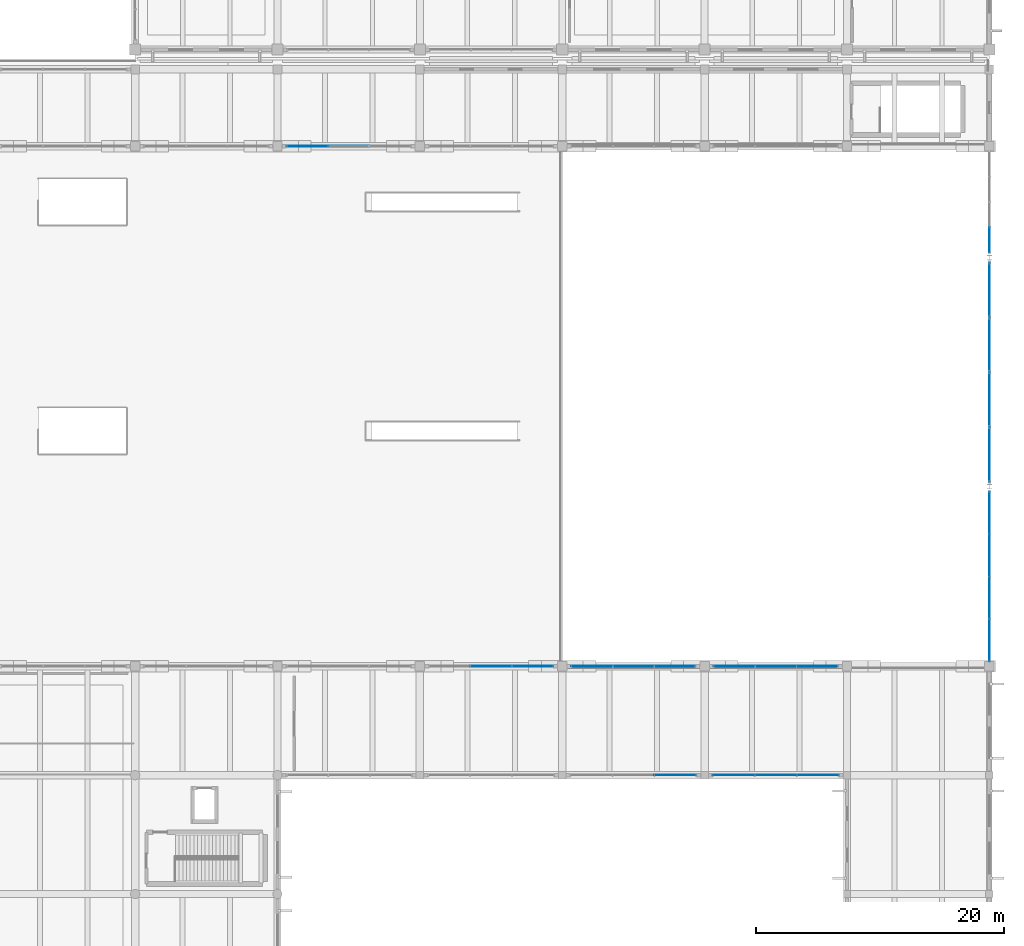
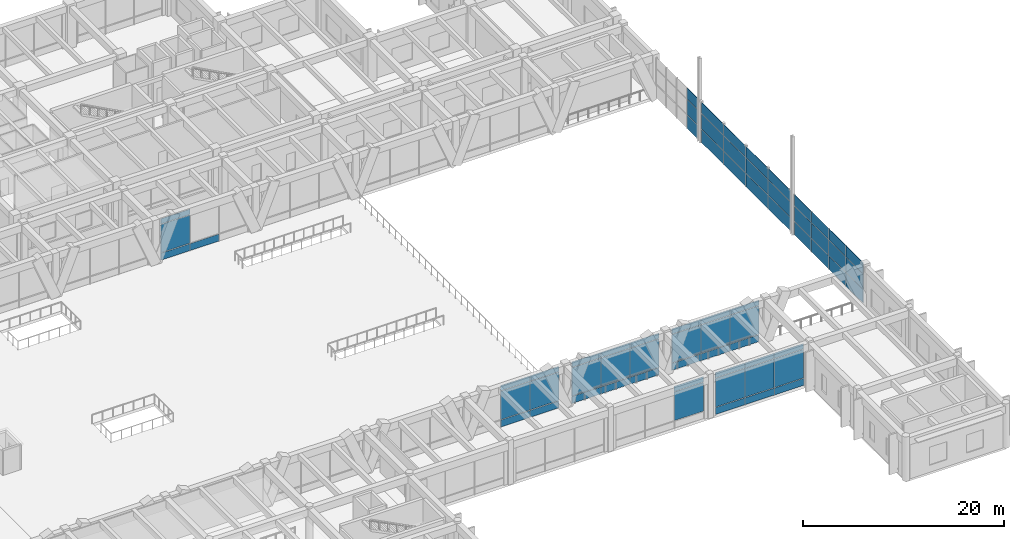
# One storey, part 121 of 148: 66 plates, 9 elements without a shape of their own.
"""IFC4 building model written with IfcOpenShell, lengths in metres."""

from ifc_helpers import new_model, si_unit, direction, frame, origin, origin_2d, place, context, subcontext, project, spatial, rectangle, extrude, material, layer, layer_set, type_object, element, aggregate, save


model = new_model("IFC4")

# Units and contexts
model_context = context("Model", 3, precision=1e-05, world=origin(), true_north=direction((0.0, 1.0)))
body_context = subcontext(model_context, "Body", "Model", "MODEL_VIEW")
ifc_project = project(units=[si_unit("LENGTHUNIT", "METRE"), si_unit("AREAUNIT", "SQUARE_METRE"), si_unit("VOLUMEUNIT", "CUBIC_METRE"), si_unit("PLANEANGLEUNIT", "RADIAN"), si_unit("MASSUNIT", "GRAM", prefix="KILO")], contexts=[model_context])

# Site, building, storey
site_placement = place(None, origin())
site = spatial("IfcSite", under=ifc_project, at=site_placement, CompositionType="ELEMENT")
building_placement = place(site_placement, origin())
building = spatial("IfcBuilding", under=site, at=building_placement, Name="Ologun Quay Terminus", CompositionType="ELEMENT")
storey_placement = place(building_placement, frame((0.0, 0.0, 8.39990234375)))
storey = spatial("IfcBuildingStorey", under=building, at=storey_placement, Name="L02", CompositionType="ELEMENT", Elevation=8.39990234375)

# Curtain wall, plates
ifc_material_1 = material(Name="Aluminium 6063-T6", Category="aluminium")
curtain_wall_type_1 = type_object("IfcCurtainWallType", Name="Train Shed Gable Arch Screen 13500x4900", PredefinedType="USERDEFINED", material=ifc_material_1)
curtain_wall_1_placement = place(storey_placement, origin())
curtain_wall_1 = element("IfcCurtainWall", 1, at=curtain_wall_1_placement, inside=storey, type_object=curtain_wall_type_1, Name="CW-10 Curtain Wall CW-GBL-E1", ObjectType="UNITISED CURTAIN WALL", PredefinedType="USERDEFINED")
ifc_material_2 = material(Name="Glass", Category="glass")
ifc_layer_1 = layer(ifc_material_2, 0.031982421875)
ifc_layer_set_1 = layer_set([ifc_layer_1], Name="Glass")
plate_type_1 = type_object("IfcPlateType", Name="Acoustic Low-E Laminated Glazed Panel 32", PredefinedType="CURTAIN_PANEL", material=ifc_layer_set_1)
plate_1_placement = place(storey_placement, frame((184.0, 38.112548828125, 0.170166015625), z_axis=(0.0, 0.0, 1.0), x_axis=(0.0, 1.0, 0.0)))
plate_1 = element("IfcPlate", 2, at=plate_1_placement, type_object=plate_type_1, Name="CW-GBL-E1 Panel B1-1", PredefinedType="CURTAIN_PANEL", context=body_context, shape_type="SweptSolid", body=[
    extrude(rectangle(XDim=3.425048828125, YDim=0.031982421875, at=origin_2d()), origin(), (0.0, 0.0, 1.0), 1.60009765625),
])
plate_2_placement = place(storey_placement, frame((184.0, 38.112548828125, 1.830078125), z_axis=(0.0, 0.0, 1.0), x_axis=(0.0, 1.0, 0.0)))
plate_2 = element("IfcPlate", 3, at=plate_2_placement, type_object=plate_type_1, Name="CW-GBL-E1 Panel B1-2", PredefinedType="CURTAIN_PANEL", context=body_context, shape_type="SweptSolid", body=[
    extrude(rectangle(XDim=3.425048828125, YDim=0.031982421875, at=origin_2d()), origin(), (0.0, 0.0, 1.0), 1.840087890625),
])
plate_3_placement = place(storey_placement, frame((184.0, 38.112548828125, 3.72998046875), z_axis=(0.0, 0.0, 1.0), x_axis=(0.0, 1.0, 0.0)))
plate_3 = element("IfcPlate", 4, at=plate_3_placement, type_object=plate_type_1, Name="CW-GBL-E1 Panel B1-3", PredefinedType="CURTAIN_PANEL", context=body_context, shape_type="SweptSolid", body=[
    extrude(rectangle(XDim=3.425048828125, YDim=0.031982421875, at=origin_2d()), origin(), (0.0, 0.0, 1.0), 1.340087890625),
])
plate_4_placement = place(storey_placement, frame((184.0, 41.53759765625, 0.170166015625), z_axis=(0.0, 0.0, 1.0), x_axis=(0.0, 1.0, 0.0)))
plate_4 = element("IfcPlate", 5, at=plate_4_placement, type_object=plate_type_1, Name="CW-GBL-E1 Panel B2-1", PredefinedType="CURTAIN_PANEL", context=body_context, shape_type="SweptSolid", body=[
    extrude(rectangle(XDim=3.425048828125, YDim=0.031982421875, at=origin_2d()), origin(), (0.0, 0.0, 1.0), 1.60009765625),
])
plate_5_placement = place(storey_placement, frame((184.0, 41.53759765625, 1.830078125), z_axis=(0.0, 0.0, 1.0), x_axis=(0.0, 1.0, 0.0)))
plate_5 = element("IfcPlate", 6, at=plate_5_placement, type_object=plate_type_1, Name="CW-GBL-E1 Panel B2-2", PredefinedType="CURTAIN_PANEL", context=body_context, shape_type="SweptSolid", body=[
    extrude(rectangle(XDim=3.425048828125, YDim=0.031982421875, at=origin_2d()), origin(), (0.0, 0.0, 1.0), 1.840087890625),
])
plate_6_placement = place(storey_placement, frame((184.0, 41.53759765625, 3.72998046875), z_axis=(0.0, 0.0, 1.0), x_axis=(0.0, 1.0, 0.0)))
plate_6 = element("IfcPlate", 7, at=plate_6_placement, type_object=plate_type_1, Name="CW-GBL-E1 Panel B2-3", PredefinedType="CURTAIN_PANEL", context=body_context, shape_type="SweptSolid", body=[
    extrude(rectangle(XDim=3.425048828125, YDim=0.031982421875, at=origin_2d()), origin(), (0.0, 0.0, 1.0), 1.340087890625),
])
plate_7_placement = place(storey_placement, frame((184.0, 44.96240234375, 0.170166015625), z_axis=(0.0, 0.0, 1.0), x_axis=(0.0, 1.0, 0.0)))
plate_7 = element("IfcPlate", 8, at=plate_7_placement, type_object=plate_type_1, Name="CW-GBL-E1 Panel B3-1", PredefinedType="CURTAIN_PANEL", context=body_context, shape_type="SweptSolid", body=[
    extrude(rectangle(XDim=3.425048828125, YDim=0.031982421875, at=origin_2d()), origin(), (0.0, 0.0, 1.0), 1.60009765625),
])
plate_8_placement = place(storey_placement, frame((184.0, 44.96240234375, 1.830078125), z_axis=(0.0, 0.0, 1.0), x_axis=(0.0, 1.0, 0.0)))
plate_8 = element("IfcPlate", 9, at=plate_8_placement, type_object=plate_type_1, Name="CW-GBL-E1 Panel B3-2", PredefinedType="CURTAIN_PANEL", context=body_context, shape_type="SweptSolid", body=[
    extrude(rectangle(XDim=3.425048828125, YDim=0.031982421875, at=origin_2d()), origin(), (0.0, 0.0, 1.0), 1.840087890625),
])
plate_9_placement = place(storey_placement, frame((184.0, 44.96240234375, 3.72998046875), z_axis=(0.0, 0.0, 1.0), x_axis=(0.0, 1.0, 0.0)))
plate_9 = element("IfcPlate", 10, at=plate_9_placement, type_object=plate_type_1, Name="CW-GBL-E1 Panel B3-3", PredefinedType="CURTAIN_PANEL", context=body_context, shape_type="SweptSolid", body=[
    extrude(rectangle(XDim=3.425048828125, YDim=0.031982421875, at=origin_2d()), origin(), (0.0, 0.0, 1.0), 1.340087890625),
])
plate_10_placement = place(storey_placement, frame((184.0, 48.387451171875, 0.170166015625), z_axis=(0.0, 0.0, 1.0), x_axis=(0.0, 1.0, 0.0)))
plate_10 = element("IfcPlate", 11, at=plate_10_placement, type_object=plate_type_1, Name="CW-GBL-E1 Panel B4-1", PredefinedType="CURTAIN_PANEL", context=body_context, shape_type="SweptSolid", body=[
    extrude(rectangle(XDim=3.425048828125, YDim=0.031982421875, at=origin_2d()), origin(), (0.0, 0.0, 1.0), 1.60009765625),
])
plate_11_placement = place(storey_placement, frame((184.0, 48.387451171875, 1.830078125), z_axis=(0.0, 0.0, 1.0), x_axis=(0.0, 1.0, 0.0)))
plate_11 = element("IfcPlate", 12, at=plate_11_placement, type_object=plate_type_1, Name="CW-GBL-E1 Panel B4-2", PredefinedType="CURTAIN_PANEL", context=body_context, shape_type="SweptSolid", body=[
    extrude(rectangle(XDim=3.425048828125, YDim=0.031982421875, at=origin_2d()), origin(), (0.0, 0.0, 1.0), 1.840087890625),
])
plate_12_placement = place(storey_placement, frame((184.0, 48.387451171875, 3.72998046875), z_axis=(0.0, 0.0, 1.0), x_axis=(0.0, 1.0, 0.0)))
plate_12 = element("IfcPlate", 13, at=plate_12_placement, type_object=plate_type_1, Name="CW-GBL-E1 Panel B4-3", PredefinedType="CURTAIN_PANEL", context=body_context, shape_type="SweptSolid", body=[
    extrude(rectangle(XDim=3.425048828125, YDim=0.031982421875, at=origin_2d()), origin(), (0.0, 0.0, 1.0), 1.340087890625),
])
aggregate(curtain_wall_1, [plate_1, plate_2, plate_3, plate_4, plate_5, plate_6, plate_7, plate_8, plate_9, plate_10, plate_11, plate_12])

ifc_material_3 = material(Name="Aluminium 6063-T6", Category="aluminium")
curtain_wall_type_2 = type_object("IfcCurtainWallType", Name="Train Shed Gable Center Screen 17500x4900", PredefinedType="USERDEFINED", material=ifc_material_3)
curtain_wall_2_placement = place(storey_placement, origin())
curtain_wall_2 = element("IfcCurtainWall", 14, at=curtain_wall_2_placement, inside=storey, type_object=curtain_wall_type_2, Name="CW-11 Curtain Wall CW-GBL-E2", ObjectType="UNITISED CURTAIN WALL", PredefinedType="USERDEFINED")
plate_13_placement = place(storey_placement, frame((184.0, 53.112548828125, 0.170166015625), z_axis=(0.0, 0.0, 1.0), x_axis=(0.0, 1.0, 0.0)))
plate_13 = element("IfcPlate", 15, at=plate_13_placement, type_object=plate_type_1, Name="CW-GBL-E2 Panel B1-1", PredefinedType="CURTAIN_PANEL", context=body_context, shape_type="SweptSolid", body=[
    extrude(rectangle(XDim=4.425048828125, YDim=0.031982421875, at=origin_2d()), origin(), (0.0, 0.0, 1.0), 1.60009765625),
])
plate_14_placement = place(storey_placement, frame((184.0, 53.112548828125, 1.830078125), z_axis=(0.0, 0.0, 1.0), x_axis=(0.0, 1.0, 0.0)))
plate_14 = element("IfcPlate", 16, at=plate_14_placement, type_object=plate_type_1, Name="CW-GBL-E2 Panel B1-2", PredefinedType="CURTAIN_PANEL", context=body_context, shape_type="SweptSolid", body=[
    extrude(rectangle(XDim=4.425048828125, YDim=0.031982421875, at=origin_2d()), origin(), (0.0, 0.0, 1.0), 1.840087890625),
])
plate_15_placement = place(storey_placement, frame((184.0, 53.112548828125, 3.72998046875), z_axis=(0.0, 0.0, 1.0), x_axis=(0.0, 1.0, 0.0)))
plate_15 = element("IfcPlate", 17, at=plate_15_placement, type_object=plate_type_1, Name="CW-GBL-E2 Panel B1-3", PredefinedType="CURTAIN_PANEL", context=body_context, shape_type="SweptSolid", body=[
    extrude(rectangle(XDim=4.425048828125, YDim=0.031982421875, at=origin_2d()), origin(), (0.0, 0.0, 1.0), 1.340087890625),
])
plate_16_placement = place(storey_placement, frame((184.0, 57.53759765625, 0.170166015625), z_axis=(0.0, 0.0, 1.0), x_axis=(0.0, 1.0, 0.0)))
plate_16 = element("IfcPlate", 18, at=plate_16_placement, type_object=plate_type_1, Name="CW-GBL-E2 Panel B2-1", PredefinedType="CURTAIN_PANEL", context=body_context, shape_type="SweptSolid", body=[
    extrude(rectangle(XDim=4.425048828125, YDim=0.031982421875, at=origin_2d()), origin(), (0.0, 0.0, 1.0), 1.60009765625),
])
plate_17_placement = place(storey_placement, frame((184.0, 57.53759765625, 1.830078125), z_axis=(0.0, 0.0, 1.0), x_axis=(0.0, 1.0, 0.0)))
plate_17 = element("IfcPlate", 19, at=plate_17_placement, type_object=plate_type_1, Name="CW-GBL-E2 Panel B2-2", PredefinedType="CURTAIN_PANEL", context=body_context, shape_type="SweptSolid", body=[
    extrude(rectangle(XDim=4.425048828125, YDim=0.031982421875, at=origin_2d()), origin(), (0.0, 0.0, 1.0), 1.840087890625),
])
plate_18_placement = place(storey_placement, frame((184.0, 57.53759765625, 3.72998046875), z_axis=(0.0, 0.0, 1.0), x_axis=(0.0, 1.0, 0.0)))
plate_18 = element("IfcPlate", 20, at=plate_18_placement, type_object=plate_type_1, Name="CW-GBL-E2 Panel B2-3", PredefinedType="CURTAIN_PANEL", context=body_context, shape_type="SweptSolid", body=[
    extrude(rectangle(XDim=4.425048828125, YDim=0.031982421875, at=origin_2d()), origin(), (0.0, 0.0, 1.0), 1.340087890625),
])
plate_19_placement = place(storey_placement, frame((184.0, 61.96240234375, 0.170166015625), z_axis=(0.0, 0.0, 1.0), x_axis=(0.0, 1.0, 0.0)))
plate_19 = element("IfcPlate", 21, at=plate_19_placement, type_object=plate_type_1, Name="CW-GBL-E2 Panel B3-1", PredefinedType="CURTAIN_PANEL", context=body_context, shape_type="SweptSolid", body=[
    extrude(rectangle(XDim=4.425048828125, YDim=0.031982421875, at=origin_2d()), origin(), (0.0, 0.0, 1.0), 1.60009765625),
])
plate_20_placement = place(storey_placement, frame((184.0, 61.96240234375, 1.830078125), z_axis=(0.0, 0.0, 1.0), x_axis=(0.0, 1.0, 0.0)))
plate_20 = element("IfcPlate", 22, at=plate_20_placement, type_object=plate_type_1, Name="CW-GBL-E2 Panel B3-2", PredefinedType="CURTAIN_PANEL", context=body_context, shape_type="SweptSolid", body=[
    extrude(rectangle(XDim=4.425048828125, YDim=0.031982421875, at=origin_2d()), origin(), (0.0, 0.0, 1.0), 1.840087890625),
])
plate_21_placement = place(storey_placement, frame((184.0, 61.96240234375, 3.72998046875), z_axis=(0.0, 0.0, 1.0), x_axis=(0.0, 1.0, 0.0)))
plate_21 = element("IfcPlate", 23, at=plate_21_placement, type_object=plate_type_1, Name="CW-GBL-E2 Panel B3-3", PredefinedType="CURTAIN_PANEL", context=body_context, shape_type="SweptSolid", body=[
    extrude(rectangle(XDim=4.425048828125, YDim=0.031982421875, at=origin_2d()), origin(), (0.0, 0.0, 1.0), 1.340087890625),
])
plate_22_placement = place(storey_placement, frame((184.0, 66.387451171875, 0.170166015625), z_axis=(0.0, 0.0, 1.0), x_axis=(0.0, 1.0, 0.0)))
plate_22 = element("IfcPlate", 24, at=plate_22_placement, type_object=plate_type_1, Name="CW-GBL-E2 Panel B4-1", PredefinedType="CURTAIN_PANEL", context=body_context, shape_type="SweptSolid", body=[
    extrude(rectangle(XDim=4.425048828125, YDim=0.031982421875, at=origin_2d()), origin(), (0.0, 0.0, 1.0), 1.60009765625),
])
plate_23_placement = place(storey_placement, frame((184.0, 66.387451171875, 1.830078125), z_axis=(0.0, 0.0, 1.0), x_axis=(0.0, 1.0, 0.0)))
plate_23 = element("IfcPlate", 25, at=plate_23_placement, type_object=plate_type_1, Name="CW-GBL-E2 Panel B4-2", PredefinedType="CURTAIN_PANEL", context=body_context, shape_type="SweptSolid", body=[
    extrude(rectangle(XDim=4.425048828125, YDim=0.031982421875, at=origin_2d()), origin(), (0.0, 0.0, 1.0), 1.840087890625),
])
plate_24_placement = place(storey_placement, frame((184.0, 66.387451171875, 3.72998046875), z_axis=(0.0, 0.0, 1.0), x_axis=(0.0, 1.0, 0.0)))
plate_24 = element("IfcPlate", 26, at=plate_24_placement, type_object=plate_type_1, Name="CW-GBL-E2 Panel B4-3", PredefinedType="CURTAIN_PANEL", context=body_context, shape_type="SweptSolid", body=[
    extrude(rectangle(XDim=4.425048828125, YDim=0.031982421875, at=origin_2d()), origin(), (0.0, 0.0, 1.0), 1.340087890625),
])
aggregate(curtain_wall_2, [plate_13, plate_14, plate_15, plate_16, plate_17, plate_18, plate_19, plate_20, plate_21, plate_22, plate_23, plate_24])

curtain_wall_3_placement = place(storey_placement, origin())
curtain_wall_3 = element("IfcCurtainWall", 27, at=curtain_wall_3_placement, inside=storey, type_object=curtain_wall_type_1, Name="CW-10 Curtain Wall CW-GBL-E3", ObjectType="UNITISED CURTAIN WALL", PredefinedType="USERDEFINED")
plate_25_placement = place(storey_placement, frame((184.0, 70.425048828125, 0.170166015625), z_axis=(0.0, 0.0, 1.0), x_axis=(0.0, 1.0, 0.0)))
plate_25 = element("IfcPlate", 28, at=plate_25_placement, type_object=plate_type_1, Name="CW-GBL-E3 Panel B1-1", PredefinedType="CURTAIN_PANEL", context=body_context, shape_type="SweptSolid", body=[
    extrude(rectangle(XDim=2.050048828125, YDim=0.031982421875, at=origin_2d()), origin(), (0.0, 0.0, 1.0), 1.60009765625),
])
plate_26_placement = place(storey_placement, frame((184.0, 70.425048828125, 1.830078125), z_axis=(0.0, 0.0, 1.0), x_axis=(0.0, 1.0, 0.0)))
plate_26 = element("IfcPlate", 29, at=plate_26_placement, type_object=plate_type_1, Name="CW-GBL-E3 Panel B1-2", PredefinedType="CURTAIN_PANEL", context=body_context, shape_type="SweptSolid", body=[
    extrude(rectangle(XDim=2.050048828125, YDim=0.031982421875, at=origin_2d()), origin(), (0.0, 0.0, 1.0), 1.840087890625),
])
plate_27_placement = place(storey_placement, frame((184.0, 70.425048828125, 3.72998046875), z_axis=(0.0, 0.0, 1.0), x_axis=(0.0, 1.0, 0.0)))
plate_27 = element("IfcPlate", 30, at=plate_27_placement, type_object=plate_type_1, Name="CW-GBL-E3 Panel B1-3", PredefinedType="CURTAIN_PANEL", context=body_context, shape_type="SweptSolid", body=[
    extrude(rectangle(XDim=2.050048828125, YDim=0.031982421875, at=origin_2d()), origin(), (0.0, 0.0, 1.0), 1.340087890625),
])
aggregate(curtain_wall_3, [plate_25, plate_26, plate_27])

ifc_material_4 = material(Name="Aluminium 6063-T6", Category="aluminium")
curtain_wall_type_3 = type_object("IfcCurtainWallType", Name="Concourse Departure Curtain Wall 10700x4950", PredefinedType="USERDEFINED", material=ifc_material_4)
curtain_wall_4_placement = place(storey_placement, origin())
curtain_wall_4 = element("IfcCurtainWall", 31, at=curtain_wall_4_placement, inside=storey, type_object=curtain_wall_type_3, Name="CW-05 Curtain Wall CW-L02-033", ObjectType="UNITISED CURTAIN WALL", PredefinedType="USERDEFINED")
ifc_material_5 = material(Name="Aluminium 6063-T6", Category="aluminium")
ifc_layer_2 = layer(ifc_material_5, 0.050048828125)
ifc_layer_set_2 = layer_set([ifc_layer_2], Name="Aluminium 6063-T6")
plate_type_2 = type_object("IfcPlateType", Name="Insulated Aluminium Shadow-Box Spandrel 50", PredefinedType="CURTAIN_PANEL", material=ifc_layer_set_2)
plate_28_placement = place(storey_placement, frame((163.36328125, 27.199951171875, 0.0302734375), z_axis=(0.0, 0.0, 1.0), x_axis=(1.0, 0.0, 0.0)))
plate_28 = element("IfcPlate", 32, at=plate_28_placement, type_object=plate_type_2, Name="CW-L02-033 Panel B1-1", PredefinedType="CURTAIN_PANEL", context=body_context, shape_type="SweptSolid", body=[
    extrude(rectangle(XDim=3.38671875, YDim=0.050048828125, at=origin_2d()), origin(), (0.0, 0.0, 1.0), 0.840087890625),
])
plate_29_placement = place(storey_placement, frame((166.75, 27.199951171875, 0.0302734375), z_axis=(0.0, 0.0, 1.0), x_axis=(1.0, 0.0, 0.0)))
plate_29 = element("IfcPlate", 33, at=plate_29_placement, type_object=plate_type_2, Name="CW-L02-033 Panel B2-1", PredefinedType="CURTAIN_PANEL", context=body_context, shape_type="SweptSolid", body=[
    extrude(rectangle(XDim=3.38671875, YDim=0.050048828125, at=origin_2d()), origin(), (0.0, 0.0, 1.0), 0.840087890625),
])
plate_30_placement = place(storey_placement, frame((170.13671875, 27.199951171875, 0.0302734375), z_axis=(0.0, 0.0, 1.0), x_axis=(1.0, 0.0, 0.0)))
plate_30 = element("IfcPlate", 34, at=plate_30_placement, type_object=plate_type_2, Name="CW-L02-033 Panel B3-1", PredefinedType="CURTAIN_PANEL", context=body_context, shape_type="SweptSolid", body=[
    extrude(rectangle(XDim=3.38671875, YDim=0.050048828125, at=origin_2d()), origin(), (0.0, 0.0, 1.0), 0.840087890625),
])

ifc_material_6 = material(Name="Aluminium 6063-T6", Category="aluminium")
curtain_wall_type_4 = type_object("IfcCurtainWallType", Name="Train Shed North Clerestory Curtain Wall 10700x4850", PredefinedType="USERDEFINED", material=ifc_material_6)
curtain_wall_5_placement = place(storey_placement, origin())
curtain_wall_5 = element("IfcCurtainWall", 35, at=curtain_wall_5_placement, inside=storey, type_object=curtain_wall_type_4, Name="CW-09 Curtain Wall CW-L02-067", ObjectType="UNITISED CURTAIN WALL", PredefinedType="USERDEFINED")
plate_31_placement = place(storey_placement, frame((128.913330078125, 78.0, 0.0302734375), z_axis=(0.0, 0.0, 1.0), x_axis=(1.0, 0.0, 0.0)))
plate_31 = element("IfcPlate", 36, at=plate_31_placement, type_object=plate_type_2, Name="CW-L02-067 Panel B1-1", PredefinedType="CURTAIN_PANEL", context=body_context, shape_type="SweptSolid", body=[
    extrude(rectangle(XDim=3.336669921875, YDim=0.050048828125, at=origin_2d()), origin(), (0.0, 0.0, 1.0), 0.840087890625),
])
plate_32_placement = place(storey_placement, frame((132.25, 78.0, 0.0302734375), z_axis=(0.0, 0.0, 1.0), x_axis=(1.0, 0.0, 0.0)))
plate_32 = element("IfcPlate", 37, at=plate_32_placement, type_object=plate_type_2, Name="CW-L02-067 Panel B2-1", PredefinedType="CURTAIN_PANEL", context=body_context, shape_type="SweptSolid", body=[
    extrude(rectangle(XDim=3.336669921875, YDim=0.050048828125, at=origin_2d()), origin(), (0.0, 0.0, 1.0), 0.840087890625),
])

ifc_material_7 = material(Name="Aluminium 6063-T6", Category="aluminium")
curtain_wall_type_5 = type_object("IfcCurtainWallType", Name="Train Shed South Clerestory Curtain Wall 10700x5050", PredefinedType="USERDEFINED", material=ifc_material_7)
curtain_wall_6_placement = place(storey_placement, origin())
curtain_wall_6 = element("IfcCurtainWall", 38, at=curtain_wall_6_placement, inside=storey, type_object=curtain_wall_type_5, Name="CW-08 Curtain Wall CW-L02-068", ObjectType="UNITISED CURTAIN WALL", PredefinedType="USERDEFINED")
plate_33_placement = place(storey_placement, frame((143.75, 36.0, 0.0302734375), z_axis=(0.0, 0.0, 1.0), x_axis=(1.0, 0.0, 0.0)))
plate_33 = element("IfcPlate", 39, at=plate_33_placement, type_object=plate_type_2, Name="CW-L02-068 Panel B2-1", PredefinedType="CURTAIN_PANEL", context=body_context, shape_type="SweptSolid", body=[
    extrude(rectangle(XDim=3.336669921875, YDim=0.050048828125, at=origin_2d()), origin(), (0.0, 0.0, 1.0), 0.840087890625),
])
plate_34_placement = place(storey_placement, frame((147.086669921875, 36.0, 0.0302734375), z_axis=(0.0, 0.0, 1.0), x_axis=(1.0, 0.0, 0.0)))
plate_34 = element("IfcPlate", 40, at=plate_34_placement, type_object=plate_type_2, Name="CW-L02-068 Panel B3-1", PredefinedType="CURTAIN_PANEL", context=body_context, shape_type="SweptSolid", body=[
    extrude(rectangle(XDim=3.336669921875, YDim=0.050048828125, at=origin_2d()), origin(), (0.0, 0.0, 1.0), 0.840087890625),
])

curtain_wall_7_placement = place(storey_placement, origin())
curtain_wall_7 = element("IfcCurtainWall", 41, at=curtain_wall_7_placement, inside=storey, type_object=curtain_wall_type_5, Name="CW-08 Curtain Wall CW-L02-070", ObjectType="UNITISED CURTAIN WALL", PredefinedType="USERDEFINED")
plate_35_placement = place(storey_placement, frame((151.913330078125, 36.0, 0.0302734375), z_axis=(0.0, 0.0, 1.0), x_axis=(1.0, 0.0, 0.0)))
plate_35 = element("IfcPlate", 42, at=plate_35_placement, type_object=plate_type_2, Name="CW-L02-070 Panel B1-1", PredefinedType="CURTAIN_PANEL", context=body_context, shape_type="SweptSolid", body=[
    extrude(rectangle(XDim=3.336669921875, YDim=0.050048828125, at=origin_2d()), origin(), (0.0, 0.0, 1.0), 0.840087890625),
])
plate_36_placement = place(storey_placement, frame((155.25, 36.0, 0.0302734375), z_axis=(0.0, 0.0, 1.0), x_axis=(1.0, 0.0, 0.0)))
plate_36 = element("IfcPlate", 43, at=plate_36_placement, type_object=plate_type_2, Name="CW-L02-070 Panel B2-1", PredefinedType="CURTAIN_PANEL", context=body_context, shape_type="SweptSolid", body=[
    extrude(rectangle(XDim=3.336669921875, YDim=0.050048828125, at=origin_2d()), origin(), (0.0, 0.0, 1.0), 0.840087890625),
])
plate_37_placement = place(storey_placement, frame((158.586669921875, 36.0, 0.0302734375), z_axis=(0.0, 0.0, 1.0), x_axis=(1.0, 0.0, 0.0)))
plate_37 = element("IfcPlate", 44, at=plate_37_placement, type_object=plate_type_2, Name="CW-L02-070 Panel B3-1", PredefinedType="CURTAIN_PANEL", context=body_context, shape_type="SweptSolid", body=[
    extrude(rectangle(XDim=3.336669921875, YDim=0.050048828125, at=origin_2d()), origin(), (0.0, 0.0, 1.0), 0.840087890625),
])

curtain_wall_8_placement = place(storey_placement, origin())
curtain_wall_8 = element("IfcCurtainWall", 45, at=curtain_wall_8_placement, inside=storey, type_object=curtain_wall_type_5, Name="CW-08 Curtain Wall CW-L02-072", ObjectType="UNITISED CURTAIN WALL", PredefinedType="USERDEFINED")
plate_38_placement = place(storey_placement, frame((163.413330078125, 36.0, 0.0302734375), z_axis=(0.0, 0.0, 1.0), x_axis=(1.0, 0.0, 0.0)))
plate_38 = element("IfcPlate", 46, at=plate_38_placement, type_object=plate_type_2, Name="CW-L02-072 Panel B1-1", PredefinedType="CURTAIN_PANEL", context=body_context, shape_type="SweptSolid", body=[
    extrude(rectangle(XDim=3.336669921875, YDim=0.050048828125, at=origin_2d()), origin(), (0.0, 0.0, 1.0), 0.840087890625),
])
plate_39_placement = place(storey_placement, frame((166.75, 36.0, 0.0302734375), z_axis=(0.0, 0.0, 1.0), x_axis=(1.0, 0.0, 0.0)))
plate_39 = element("IfcPlate", 47, at=plate_39_placement, type_object=plate_type_2, Name="CW-L02-072 Panel B2-1", PredefinedType="CURTAIN_PANEL", context=body_context, shape_type="SweptSolid", body=[
    extrude(rectangle(XDim=3.336669921875, YDim=0.050048828125, at=origin_2d()), origin(), (0.0, 0.0, 1.0), 0.840087890625),
])
plate_40_placement = place(storey_placement, frame((170.086669921875, 36.0, 0.0302734375), z_axis=(0.0, 0.0, 1.0), x_axis=(1.0, 0.0, 0.0)))
plate_40 = element("IfcPlate", 48, at=plate_40_placement, type_object=plate_type_2, Name="CW-L02-072 Panel B3-1", PredefinedType="CURTAIN_PANEL", context=body_context, shape_type="SweptSolid", body=[
    extrude(rectangle(XDim=3.336669921875, YDim=0.050048828125, at=origin_2d()), origin(), (0.0, 0.0, 1.0), 0.840087890625),
])

curtain_wall_9_placement = place(storey_placement, origin())
curtain_wall_9 = element("IfcCurtainWall", 49, at=curtain_wall_9_placement, inside=storey, type_object=curtain_wall_type_3, Name="CW-05 Curtain Wall CW-L02-032", ObjectType="UNITISED CURTAIN WALL", PredefinedType="USERDEFINED")
ifc_material_8 = material(Name="Glass", Category="glass")
ifc_layer_3 = layer(ifc_material_8, 0.028076171875)
ifc_layer_set_3 = layer_set([ifc_layer_3], Name="Glass")
plate_type_3 = type_object("IfcPlateType", Name="Solar-Control Double Glazed Panel 28", PredefinedType="CURTAIN_PANEL", material=ifc_layer_set_3)
plate_41_placement = place(storey_placement, frame((158.63671875, 27.199951171875, 0.93017578125), z_axis=(0.0, 0.0, 1.0), x_axis=(1.0, 0.0, 0.0)))
plate_41 = element("IfcPlate", 50, at=plate_41_placement, type_object=plate_type_3, Name="CW-L02-032 Panel B3-2", PredefinedType="CURTAIN_PANEL", context=body_context, shape_type="SweptSolid", body=[
    extrude(rectangle(XDim=3.38671875, YDim=0.028076171875, at=origin_2d()), origin(), (0.0, 0.0, 1.0), 3.47998046875),
])
plate_42_placement = place(storey_placement, frame((158.63671875, 27.199951171875, 4.47021484375), z_axis=(0.0, 0.0, 1.0), x_axis=(1.0, 0.0, 0.0)))
plate_42 = element("IfcPlate", 51, at=plate_42_placement, type_object=plate_type_3, Name="CW-L02-032 Panel B3-3", PredefinedType="CURTAIN_PANEL", context=body_context, shape_type="SweptSolid", body=[
    extrude(rectangle(XDim=3.38671875, YDim=0.028076171875, at=origin_2d()), origin(), (0.0, 0.0, 1.0), 0.639892578125),
])
aggregate(curtain_wall_9, [plate_41, plate_42])

# Plate
plate_43_placement = place(storey_placement, frame((163.36328125, 27.199951171875, 0.93017578125), z_axis=(0.0, 0.0, 1.0), x_axis=(1.0, 0.0, 0.0)))
plate_43 = element("IfcPlate", 52, at=plate_43_placement, type_object=plate_type_3, Name="CW-L02-033 Panel B1-2", PredefinedType="CURTAIN_PANEL", context=body_context, shape_type="SweptSolid", body=[
    extrude(rectangle(XDim=3.38671875, YDim=0.028076171875, at=origin_2d()), origin(), (0.0, 0.0, 1.0), 3.47998046875),
])

plate_44_placement = place(storey_placement, frame((163.36328125, 27.199951171875, 4.47021484375), z_axis=(0.0, 0.0, 1.0), x_axis=(1.0, 0.0, 0.0)))
plate_44 = element("IfcPlate", 53, at=plate_44_placement, type_object=plate_type_3, Name="CW-L02-033 Panel B1-3", PredefinedType="CURTAIN_PANEL", context=body_context, shape_type="SweptSolid", body=[
    extrude(rectangle(XDim=3.38671875, YDim=0.028076171875, at=origin_2d()), origin(), (0.0, 0.0, 1.0), 0.639892578125),
])

plate_45_placement = place(storey_placement, frame((166.75, 27.199951171875, 0.93017578125), z_axis=(0.0, 0.0, 1.0), x_axis=(1.0, 0.0, 0.0)))
plate_45 = element("IfcPlate", 54, at=plate_45_placement, type_object=plate_type_3, Name="CW-L02-033 Panel B2-2", PredefinedType="CURTAIN_PANEL", context=body_context, shape_type="SweptSolid", body=[
    extrude(rectangle(XDim=3.38671875, YDim=0.028076171875, at=origin_2d()), origin(), (0.0, 0.0, 1.0), 3.47998046875),
])

plate_46_placement = place(storey_placement, frame((166.75, 27.199951171875, 4.47021484375), z_axis=(0.0, 0.0, 1.0), x_axis=(1.0, 0.0, 0.0)))
plate_46 = element("IfcPlate", 55, at=plate_46_placement, type_object=plate_type_3, Name="CW-L02-033 Panel B2-3", PredefinedType="CURTAIN_PANEL", context=body_context, shape_type="SweptSolid", body=[
    extrude(rectangle(XDim=3.38671875, YDim=0.028076171875, at=origin_2d()), origin(), (0.0, 0.0, 1.0), 0.639892578125),
])

plate_47_placement = place(storey_placement, frame((170.13671875, 27.199951171875, 0.93017578125), z_axis=(0.0, 0.0, 1.0), x_axis=(1.0, 0.0, 0.0)))
plate_47 = element("IfcPlate", 56, at=plate_47_placement, type_object=plate_type_3, Name="CW-L02-033 Panel B3-2", PredefinedType="CURTAIN_PANEL", context=body_context, shape_type="SweptSolid", body=[
    extrude(rectangle(XDim=3.38671875, YDim=0.028076171875, at=origin_2d()), origin(), (0.0, 0.0, 1.0), 3.47998046875),
])

plate_48_placement = place(storey_placement, frame((170.13671875, 27.199951171875, 4.47021484375), z_axis=(0.0, 0.0, 1.0), x_axis=(1.0, 0.0, 0.0)))
plate_48 = element("IfcPlate", 57, at=plate_48_placement, type_object=plate_type_3, Name="CW-L02-033 Panel B3-3", PredefinedType="CURTAIN_PANEL", context=body_context, shape_type="SweptSolid", body=[
    extrude(rectangle(XDim=3.38671875, YDim=0.028076171875, at=origin_2d()), origin(), (0.0, 0.0, 1.0), 0.639892578125),
])

aggregate(curtain_wall_4, [plate_28, plate_43, plate_44, plate_29, plate_45, plate_46, plate_30, plate_47, plate_48])

plate_49_placement = place(storey_placement, frame((128.913330078125, 78.0, 0.93017578125), z_axis=(0.0, 0.0, 1.0), x_axis=(1.0, 0.0, 0.0)))
plate_49 = element("IfcPlate", 58, at=plate_49_placement, type_object=plate_type_3, Name="CW-L02-067 Panel B1-2", PredefinedType="CURTAIN_PANEL", context=body_context, shape_type="SweptSolid", body=[
    extrude(rectangle(XDim=3.336669921875, YDim=0.028076171875, at=origin_2d()), origin(), (0.0, 0.0, 1.0), 3.43994140625),
])

plate_50_placement = place(storey_placement, frame((128.913330078125, 78.0, 4.43017578125), z_axis=(0.0, 0.0, 1.0), x_axis=(1.0, 0.0, 0.0)))
plate_50 = element("IfcPlate", 59, at=plate_50_placement, type_object=plate_type_3, Name="CW-L02-067 Panel B1-3", PredefinedType="CURTAIN_PANEL", context=body_context, shape_type="SweptSolid", body=[
    extrude(rectangle(XDim=3.336669921875, YDim=0.028076171875, at=origin_2d()), origin(), (0.0, 0.0, 1.0), 0.639892578125),
])

aggregate(curtain_wall_5, [plate_31, plate_49, plate_50, plate_32])

plate_51_placement = place(storey_placement, frame((143.75, 36.0, 0.93017578125), z_axis=(0.0, 0.0, 1.0), x_axis=(1.0, 0.0, 0.0)))
plate_51 = element("IfcPlate", 60, at=plate_51_placement, type_object=plate_type_3, Name="CW-L02-068 Panel B2-2", PredefinedType="CURTAIN_PANEL", context=body_context, shape_type="SweptSolid", body=[
    extrude(rectangle(XDim=3.336669921875, YDim=0.028076171875, at=origin_2d()), origin(), (0.0, 0.0, 1.0), 3.43994140625),
])

plate_52_placement = place(storey_placement, frame((143.75, 36.0, 4.43017578125), z_axis=(0.0, 0.0, 1.0), x_axis=(1.0, 0.0, 0.0)))
plate_52 = element("IfcPlate", 61, at=plate_52_placement, type_object=plate_type_3, Name="CW-L02-068 Panel B2-3", PredefinedType="CURTAIN_PANEL", context=body_context, shape_type="SweptSolid", body=[
    extrude(rectangle(XDim=3.336669921875, YDim=0.028076171875, at=origin_2d()), origin(), (0.0, 0.0, 1.0), 0.639892578125),
])

plate_53_placement = place(storey_placement, frame((147.086669921875, 36.0, 0.93017578125), z_axis=(0.0, 0.0, 1.0), x_axis=(1.0, 0.0, 0.0)))
plate_53 = element("IfcPlate", 62, at=plate_53_placement, type_object=plate_type_3, Name="CW-L02-068 Panel B3-2", PredefinedType="CURTAIN_PANEL", context=body_context, shape_type="SweptSolid", body=[
    extrude(rectangle(XDim=3.336669921875, YDim=0.028076171875, at=origin_2d()), origin(), (0.0, 0.0, 1.0), 3.43994140625),
])

plate_54_placement = place(storey_placement, frame((147.086669921875, 36.0, 4.43017578125), z_axis=(0.0, 0.0, 1.0), x_axis=(1.0, 0.0, 0.0)))
plate_54 = element("IfcPlate", 63, at=plate_54_placement, type_object=plate_type_3, Name="CW-L02-068 Panel B3-3", PredefinedType="CURTAIN_PANEL", context=body_context, shape_type="SweptSolid", body=[
    extrude(rectangle(XDim=3.336669921875, YDim=0.028076171875, at=origin_2d()), origin(), (0.0, 0.0, 1.0), 0.639892578125),
])

aggregate(curtain_wall_6, [plate_33, plate_51, plate_52, plate_34, plate_53, plate_54])

plate_55_placement = place(storey_placement, frame((151.913330078125, 36.0, 0.93017578125), z_axis=(0.0, 0.0, 1.0), x_axis=(1.0, 0.0, 0.0)))
plate_55 = element("IfcPlate", 64, at=plate_55_placement, type_object=plate_type_3, Name="CW-L02-070 Panel B1-2", PredefinedType="CURTAIN_PANEL", context=body_context, shape_type="SweptSolid", body=[
    extrude(rectangle(XDim=3.336669921875, YDim=0.028076171875, at=origin_2d()), origin(), (0.0, 0.0, 1.0), 3.43994140625),
])

plate_56_placement = place(storey_placement, frame((151.913330078125, 36.0, 4.43017578125), z_axis=(0.0, 0.0, 1.0), x_axis=(1.0, 0.0, 0.0)))
plate_56 = element("IfcPlate", 65, at=plate_56_placement, type_object=plate_type_3, Name="CW-L02-070 Panel B1-3", PredefinedType="CURTAIN_PANEL", context=body_context, shape_type="SweptSolid", body=[
    extrude(rectangle(XDim=3.336669921875, YDim=0.028076171875, at=origin_2d()), origin(), (0.0, 0.0, 1.0), 0.639892578125),
])

plate_57_placement = place(storey_placement, frame((155.25, 36.0, 0.93017578125), z_axis=(0.0, 0.0, 1.0), x_axis=(1.0, 0.0, 0.0)))
plate_57 = element("IfcPlate", 66, at=plate_57_placement, type_object=plate_type_3, Name="CW-L02-070 Panel B2-2", PredefinedType="CURTAIN_PANEL", context=body_context, shape_type="SweptSolid", body=[
    extrude(rectangle(XDim=3.336669921875, YDim=0.028076171875, at=origin_2d()), origin(), (0.0, 0.0, 1.0), 3.43994140625),
])

plate_58_placement = place(storey_placement, frame((155.25, 36.0, 4.43017578125), z_axis=(0.0, 0.0, 1.0), x_axis=(1.0, 0.0, 0.0)))
plate_58 = element("IfcPlate", 67, at=plate_58_placement, type_object=plate_type_3, Name="CW-L02-070 Panel B2-3", PredefinedType="CURTAIN_PANEL", context=body_context, shape_type="SweptSolid", body=[
    extrude(rectangle(XDim=3.336669921875, YDim=0.028076171875, at=origin_2d()), origin(), (0.0, 0.0, 1.0), 0.639892578125),
])

plate_59_placement = place(storey_placement, frame((158.586669921875, 36.0, 0.93017578125), z_axis=(0.0, 0.0, 1.0), x_axis=(1.0, 0.0, 0.0)))
plate_59 = element("IfcPlate", 68, at=plate_59_placement, type_object=plate_type_3, Name="CW-L02-070 Panel B3-2", PredefinedType="CURTAIN_PANEL", context=body_context, shape_type="SweptSolid", body=[
    extrude(rectangle(XDim=3.336669921875, YDim=0.028076171875, at=origin_2d()), origin(), (0.0, 0.0, 1.0), 3.43994140625),
])

plate_60_placement = place(storey_placement, frame((158.586669921875, 36.0, 4.43017578125), z_axis=(0.0, 0.0, 1.0), x_axis=(1.0, 0.0, 0.0)))
plate_60 = element("IfcPlate", 69, at=plate_60_placement, type_object=plate_type_3, Name="CW-L02-070 Panel B3-3", PredefinedType="CURTAIN_PANEL", context=body_context, shape_type="SweptSolid", body=[
    extrude(rectangle(XDim=3.336669921875, YDim=0.028076171875, at=origin_2d()), origin(), (0.0, 0.0, 1.0), 0.639892578125),
])

aggregate(curtain_wall_7, [plate_35, plate_55, plate_56, plate_36, plate_57, plate_58, plate_37, plate_59, plate_60])

plate_61_placement = place(storey_placement, frame((163.413330078125, 36.0, 0.93017578125), z_axis=(0.0, 0.0, 1.0), x_axis=(1.0, 0.0, 0.0)))
plate_61 = element("IfcPlate", 70, at=plate_61_placement, type_object=plate_type_3, Name="CW-L02-072 Panel B1-2", PredefinedType="CURTAIN_PANEL", context=body_context, shape_type="SweptSolid", body=[
    extrude(rectangle(XDim=3.336669921875, YDim=0.028076171875, at=origin_2d()), origin(), (0.0, 0.0, 1.0), 3.43994140625),
])

plate_62_placement = place(storey_placement, frame((163.413330078125, 36.0, 4.43017578125), z_axis=(0.0, 0.0, 1.0), x_axis=(1.0, 0.0, 0.0)))
plate_62 = element("IfcPlate", 71, at=plate_62_placement, type_object=plate_type_3, Name="CW-L02-072 Panel B1-3", PredefinedType="CURTAIN_PANEL", context=body_context, shape_type="SweptSolid", body=[
    extrude(rectangle(XDim=3.336669921875, YDim=0.028076171875, at=origin_2d()), origin(), (0.0, 0.0, 1.0), 0.639892578125),
])

plate_63_placement = place(storey_placement, frame((166.75, 36.0, 0.93017578125), z_axis=(0.0, 0.0, 1.0), x_axis=(1.0, 0.0, 0.0)))
plate_63 = element("IfcPlate", 72, at=plate_63_placement, type_object=plate_type_3, Name="CW-L02-072 Panel B2-2", PredefinedType="CURTAIN_PANEL", context=body_context, shape_type="SweptSolid", body=[
    extrude(rectangle(XDim=3.336669921875, YDim=0.028076171875, at=origin_2d()), origin(), (0.0, 0.0, 1.0), 3.43994140625),
])

plate_64_placement = place(storey_placement, frame((166.75, 36.0, 4.43017578125), z_axis=(0.0, 0.0, 1.0), x_axis=(1.0, 0.0, 0.0)))
plate_64 = element("IfcPlate", 73, at=plate_64_placement, type_object=plate_type_3, Name="CW-L02-072 Panel B2-3", PredefinedType="CURTAIN_PANEL", context=body_context, shape_type="SweptSolid", body=[
    extrude(rectangle(XDim=3.336669921875, YDim=0.028076171875, at=origin_2d()), origin(), (0.0, 0.0, 1.0), 0.639892578125),
])

plate_65_placement = place(storey_placement, frame((170.086669921875, 36.0, 0.93017578125), z_axis=(0.0, 0.0, 1.0), x_axis=(1.0, 0.0, 0.0)))
plate_65 = element("IfcPlate", 74, at=plate_65_placement, type_object=plate_type_3, Name="CW-L02-072 Panel B3-2", PredefinedType="CURTAIN_PANEL", context=body_context, shape_type="SweptSolid", body=[
    extrude(rectangle(XDim=3.336669921875, YDim=0.028076171875, at=origin_2d()), origin(), (0.0, 0.0, 1.0), 3.43994140625),
])

plate_66_placement = place(storey_placement, frame((170.086669921875, 36.0, 4.43017578125), z_axis=(0.0, 0.0, 1.0), x_axis=(1.0, 0.0, 0.0)))
plate_66 = element("IfcPlate", 75, at=plate_66_placement, type_object=plate_type_3, Name="CW-L02-072 Panel B3-3", PredefinedType="CURTAIN_PANEL", context=body_context, shape_type="SweptSolid", body=[
    extrude(rectangle(XDim=3.336669921875, YDim=0.028076171875, at=origin_2d()), origin(), (0.0, 0.0, 1.0), 0.639892578125),
])

aggregate(curtain_wall_8, [plate_38, plate_61, plate_62, plate_39, plate_63, plate_64, plate_40, plate_65, plate_66])

save(model, "model.ifc")
